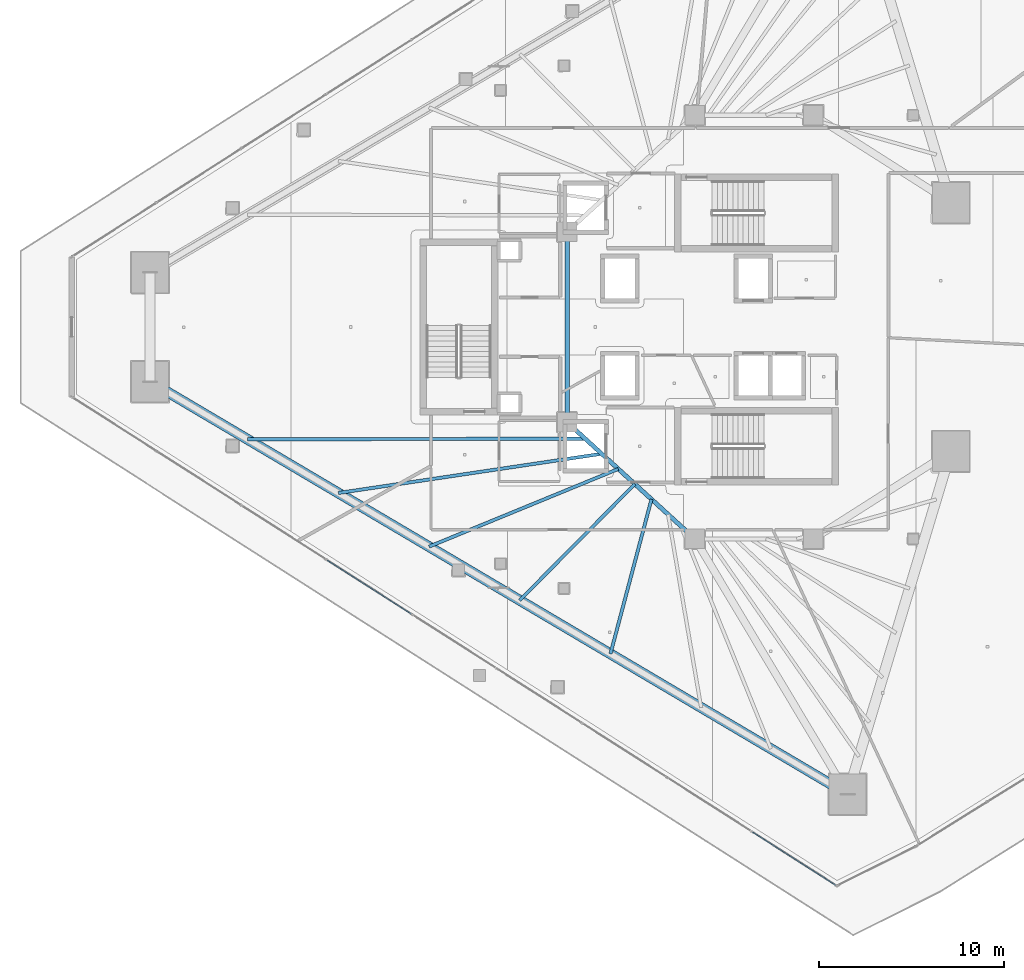
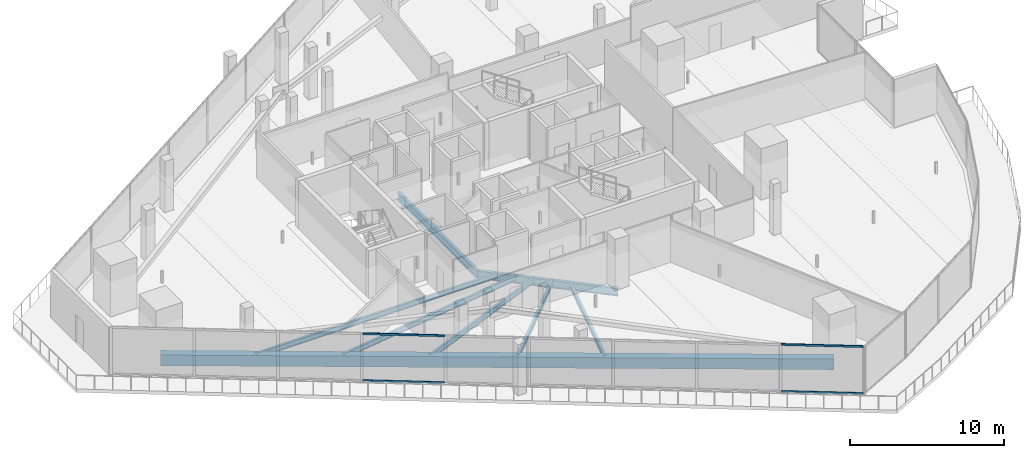
# One storey, part 6 of 40: 8 beams, 4 members, 1 element without a shape of its own.
"""IFC4 building model written with IfcOpenShell, lengths in metres."""

from ifc_helpers import new_model, si_unit, direction, frame, origin, origin_2d, place, context, subcontext, project, spatial, rectangle, hollow_rectangle, i_section, extrude, material, layer, layer_set, material_profile, profile_set, type_object, element, aggregate, save


model = new_model("IFC4")

# Units and contexts
model_context = context("Model", 3, precision=1e-05, world=origin(), true_north=direction((0.0, 1.0)))
body_context = subcontext(model_context, "Body", "Model", "MODEL_VIEW")
ifc_project = project(units=[si_unit("LENGTHUNIT", "METRE"), si_unit("AREAUNIT", "SQUARE_METRE"), si_unit("VOLUMEUNIT", "CUBIC_METRE"), si_unit("PLANEANGLEUNIT", "RADIAN"), si_unit("MASSUNIT", "GRAM", prefix="KILO")], contexts=[model_context])

# Site, building, storey
site_placement = place(None, origin())
site = spatial("IfcSite", under=ifc_project, at=site_placement, CompositionType="ELEMENT")
building_placement = place(site_placement, origin())
building = spatial("IfcBuilding", under=site, at=building_placement, Name="Qorvath Tower", CompositionType="ELEMENT")
storey_placement = place(building_placement, frame((0.0, 0.0, 138.14990234375)))
storey = spatial("IfcBuildingStorey", under=building, at=storey_placement, Name="L31", CompositionType="ELEMENT", Elevation=138.14990234375)

# Beams
ifc_material_1 = material(Name="Steel ASTM A992 Grade 50", Category="steel")
ifc_material_profile_1 = material_profile(ifc_material_1, i_section(OverallWidth=0.22998046875, OverallDepth=0.616943359375, WebThickness=0.01318359375, FlangeThickness=0.022216796875, FilletRadius=0.014892578125, at=origin_2d()), Name="W24x94")
ifc_profile_set_1 = profile_set([ifc_material_profile_1], Name="Steel ASTM A992 Grade 50")
beam_type_1 = type_object("IfcBeamType", Name="BM-FG6", PredefinedType="BEAM", material=ifc_profile_set_1)
beam_1_placement = place(storey_placement, frame((-23.60009765625, -11.449951171875, -0.57861328125), z_axis=(-0.73847813985, 0.6742774184, 0.0), x_axis=(-0.6742774184, -0.73847813985, 0.0)))
element("IfcBeam", 1, at=beam_1_placement, inside=storey, type_object=beam_type_1, Name="Core Ring Girder CC4-CC6 L31", PredefinedType="BEAM", context=body_context, shape_type="SweptSolid", body=[
    extrude(i_section(OverallWidth=0.22998046875, OverallDepth=0.616943359375, WebThickness=0.01318359375, FlangeThickness=0.022216796875, FilletRadius=0.014892578125, at=origin_2d()), origin(), (0.0, 0.0, 1.0), 9.343505859375),
])
beam_2_placement = place(storey_placement, frame((-30.5, -5.14990234375, -0.57861328125), z_axis=(0.0, 1.0, 0.0), x_axis=(-1.0, 0.0, 0.0)))
element("IfcBeam", 2, at=beam_2_placement, inside=storey, type_object=beam_type_1, Name="Core Ring Girder CC6-CC5 L31", PredefinedType="BEAM", context=body_context, shape_type="SweptSolid", body=[
    extrude(i_section(OverallWidth=0.22998046875, OverallDepth=0.616943359375, WebThickness=0.01318359375, FlangeThickness=0.022216796875, FilletRadius=0.014892578125, at=origin_2d()), origin(), (0.0, 0.0, 1.0), 10.2998046875),
])
ifc_material_2 = material(Name="Steel ASTM A992 Grade 50", Category="steel")
ifc_material_profile_2 = material_profile(ifc_material_2, i_section(OverallWidth=0.177978515625, OverallDepth=0.406005859375, WebThickness=0.0078125, FlangeThickness=0.0126953125, FilletRadius=0.010986328125, at=origin_2d()), Name="W16x40")
ifc_profile_set_2 = profile_set([ifc_material_profile_2], Name="Steel ASTM A992 Grade 50")
beam_type_2 = type_object("IfcBeamType", Name="BM-FJ3", PredefinedType="JOIST", material=ifc_profile_set_2)
beam_3_placement = place(storey_placement, frame((-29.533935546875, -6.031982421875, -0.472900390625), z_axis=(-0.999997589883, -0.002195501951, 0.0), x_axis=(0.002195501951, -0.999997589883, 0.0)))
element("IfcBeam", 3, at=beam_3_placement, inside=storey, type_object=beam_type_2, Name="Composite Floor Joist SW1 L31", PredefinedType="JOIST", context=body_context, shape_type="SweptSolid", body=[
    extrude(i_section(OverallWidth=0.177978515625, OverallDepth=0.406005859375, WebThickness=0.0078125, FlangeThickness=0.0126953125, FilletRadius=0.010986328125, at=origin_2d()), origin(), (0.0, 0.0, 1.0), 18.23681640625),
])
beam_4_placement = place(storey_placement, frame((-28.636962890625, -6.85107421875, -0.472900390625), z_axis=(-0.989092860328, -0.147293291256, 0.0), x_axis=(0.147293291256, -0.989092860328, 0.0)))
element("IfcBeam", 4, at=beam_4_placement, inside=storey, type_object=beam_type_2, Name="Composite Floor Joist SW2 L31", PredefinedType="JOIST", context=body_context, shape_type="SweptSolid", body=[
    extrude(i_section(OverallWidth=0.177978515625, OverallDepth=0.406005859375, WebThickness=0.0078125, FlangeThickness=0.0126953125, FilletRadius=0.010986328125, at=origin_2d()), origin(), (0.0, 0.0, 1.0), 14.388916015625),
])
beam_5_placement = place(storey_placement, frame((-27.739990234375, -7.669921875, -0.472900390625), z_axis=(-0.925068176006, -0.379801092338, 0.0), x_axis=(0.379801092338, -0.925068176006, 0.0)))
element("IfcBeam", 5, at=beam_5_placement, inside=storey, type_object=beam_type_2, Name="Composite Floor Joist SW3 L31", PredefinedType="JOIST", context=body_context, shape_type="SweptSolid", body=[
    extrude(i_section(OverallWidth=0.177978515625, OverallDepth=0.406005859375, WebThickness=0.0078125, FlangeThickness=0.0126953125, FilletRadius=0.010986328125, at=origin_2d()), origin(), (0.0, 0.0, 1.0), 11.0556640625),
])
beam_6_placement = place(storey_placement, frame((-26.843017578125, -8.489013671875, -0.472900390625), z_axis=(-0.70395121362, -0.710248328997, 0.0), x_axis=(0.710248328997, -0.70395121362, 0.0)))
element("IfcBeam", 6, at=beam_6_placement, inside=storey, type_object=beam_type_2, Name="Composite Floor Joist SW4 L31", PredefinedType="JOIST", context=body_context, shape_type="SweptSolid", body=[
    extrude(i_section(OverallWidth=0.177978515625, OverallDepth=0.406005859375, WebThickness=0.0078125, FlangeThickness=0.0126953125, FilletRadius=0.010986328125, at=origin_2d()), origin(), (0.0, 0.0, 1.0), 8.839599609375),
])
beam_7_placement = place(storey_placement, frame((-25.946044921875, -9.30810546875, -0.472900390625), z_axis=(-0.256507909517, -0.966542131702, 0.0), x_axis=(0.966542131702, -0.256507909517, 0.0)))
element("IfcBeam", 7, at=beam_7_placement, inside=storey, type_object=beam_type_2, Name="Composite Floor Joist SW5 L31", PredefinedType="JOIST", context=body_context, shape_type="SweptSolid", body=[
    extrude(i_section(OverallWidth=0.177978515625, OverallDepth=0.406005859375, WebThickness=0.0078125, FlangeThickness=0.0126953125, FilletRadius=0.010986328125, at=origin_2d()), origin(), (0.0, 0.0, 1.0), 8.64697265625),
])
ifc_material_3 = material(Name="Concrete C50/60", Category="concrete")
ifc_material_profile_3 = material_profile(ifc_material_3, rectangle(XDim=0.550048828125, YDim=0.85009765625, at=origin_2d()), Name="RCB 850x550")
ifc_profile_set_3 = profile_set([ifc_material_profile_3], Name="Concrete C50/60")
beam_type_3 = type_object("IfcBeamType", Name="BM-RCB2", PredefinedType="SPANDREL", material=ifc_profile_set_3)
beam_8_placement = place(storey_placement, frame((-53.04931640625, -2.95068359375, -0.695068359375), z_axis=(0.860775142889, -0.508985415689, 0.0), x_axis=(0.508985415689, 0.860775142889, 0.0)))
element("IfcBeam", 8, at=beam_8_placement, inside=storey, type_object=beam_type_3, Name="Perimeter Loggia Frame Beam MC2-MC3 L31", PredefinedType="SPANDREL", context=body_context, shape_type="SweptSolid", body=[
    extrude(rectangle(XDim=0.550048828125, YDim=0.85009765625, at=origin_2d()), origin(), (0.0, 0.0, 1.0), 43.8037109375),
])

# Curtain wall, members
ifc_material_4 = material(Name="Anodised aluminium and triple low-E glass", Category="aluminium")
ifc_layer = layer(ifc_material_4, 0.179931640625)
ifc_layer_set = layer_set([ifc_layer], Name="CW-SYS-3")
curtain_wall_type = type_object("IfcCurtainWallType", Name="CW-SYS-3", PredefinedType="NOTDEFINED", material=ifc_layer_set)
curtain_wall_placement = place(storey_placement, origin())
curtain_wall = element("IfcCurtainWall", 9, at=curtain_wall_placement, inside=storey, type_object=curtain_wall_type, Name="Curtain Wall CW-3 CW-T-L31-2.1", PredefinedType="NOTDEFINED")
ifc_material_5 = material(Name="Anodised aluminium 6063-T6", Category="aluminium")
ifc_material_profile_4 = material_profile(ifc_material_5, hollow_rectangle(XDim=0.06494140625, YDim=0.159912109375, WallThickness=0.00341796875, InnerFilletRadius=0.00341796875, OuterFilletRadius=0.007080078125, at=origin_2d()), Name="CWT 160x65")
ifc_profile_set_4 = profile_set([ifc_material_profile_4], Name="Anodised aluminium 6063-T6")
member_type = type_object("IfcMemberType", Name="CWT-160", PredefinedType="USERDEFINED", material=ifc_profile_set_4)
member_1_placement = place(storey_placement, frame((-43.473876953125, -12.60400390625, 0.032470703125), z_axis=(0.842602030071, -0.538536738691, 0.0), x_axis=(0.538536738691, 0.842602030071, 0.0)))
member_1 = element("IfcMember", 10, at=member_1_placement, type_object=member_type, Name="CW-3 transom 4.1", ObjectType="TRANSOM", PredefinedType="USERDEFINED", context=body_context, shape_type="SweptSolid", body=[
    extrude(hollow_rectangle(XDim=0.06494140625, YDim=0.159912109375, WallThickness=0.00341796875, InnerFilletRadius=0.00341796875, OuterFilletRadius=0.007080078125, at=origin_2d()), origin(), (0.0, 0.0, 1.0), 5.388427734375),
])
member_2_placement = place(storey_placement, frame((-43.473876953125, -12.60400390625, 3.74755859375), z_axis=(0.842602030071, -0.538536738691, 0.0), x_axis=(0.538536738691, 0.842602030071, 0.0)))
member_2 = element("IfcMember", 11, at=member_2_placement, type_object=member_type, Name="CW-3 transom 4.2", ObjectType="TRANSOM", PredefinedType="USERDEFINED", context=body_context, shape_type="SweptSolid", body=[
    extrude(hollow_rectangle(XDim=0.06494140625, YDim=0.159912109375, WallThickness=0.00341796875, InnerFilletRadius=0.00341796875, OuterFilletRadius=0.007080078125, at=origin_2d()), origin(), (0.0, 0.0, 1.0), 5.388427734375),
])
member_3_placement = place(storey_placement, frame((-20.49853515625, -27.2880859375, 0.032470703125), z_axis=(0.842589967804, -0.538555611015, 0.0), x_axis=(0.538555611015, 0.842589967804, 0.0)))
member_3 = element("IfcMember", 12, at=member_3_placement, type_object=member_type, Name="CW-3 transom 9.1", ObjectType="TRANSOM", PredefinedType="USERDEFINED", context=body_context, shape_type="SweptSolid", body=[
    extrude(hollow_rectangle(XDim=0.06494140625, YDim=0.159912109375, WallThickness=0.00341796875, InnerFilletRadius=0.00341796875, OuterFilletRadius=0.007080078125, at=origin_2d()), origin(), (0.0, 0.0, 1.0), 5.35595703125),
])
member_4_placement = place(storey_placement, frame((-20.49853515625, -27.2880859375, 3.74755859375), z_axis=(0.842589967804, -0.538555611015, 0.0), x_axis=(0.538555611015, 0.842589967804, 0.0)))
member_4 = element("IfcMember", 13, at=member_4_placement, type_object=member_type, Name="CW-3 transom 9.2", ObjectType="TRANSOM", PredefinedType="USERDEFINED", context=body_context, shape_type="SweptSolid", body=[
    extrude(hollow_rectangle(XDim=0.06494140625, YDim=0.159912109375, WallThickness=0.00341796875, InnerFilletRadius=0.00341796875, OuterFilletRadius=0.007080078125, at=origin_2d()), origin(), (0.0, 0.0, 1.0), 5.35595703125),
])
aggregate(curtain_wall, [member_1, member_2, member_3, member_4])

save(model, "model.ifc")
